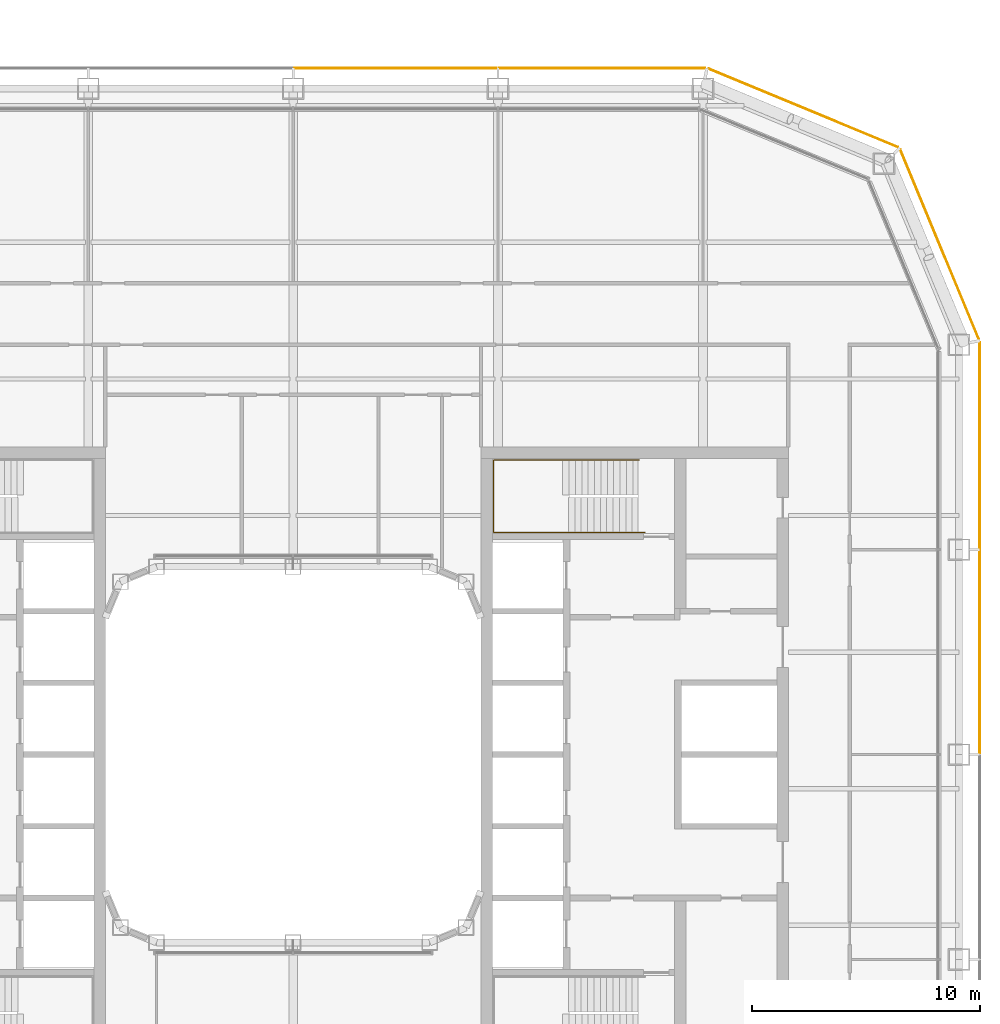
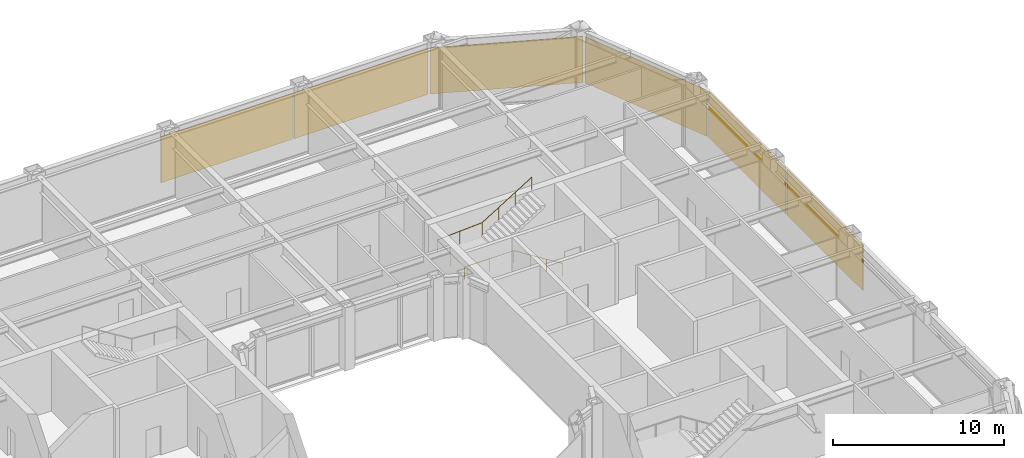
# One storey, part 22 of 23: 6 coverings, 1 railing.
"""IFC4 building model written with IfcOpenShell, lengths in metres."""

from ifc_helpers import new_model, si_unit, direction, frame, origin, origin_2d, place, context, subcontext, project, spatial, rectangle, circle, extrude, material, layer, layer_set, type_object, element, save


model = new_model("IFC4")

# Units and contexts
model_context = context("Model", 3, precision=1e-05, world=origin(), true_north=direction((0.0, 1.0)))
body_context = subcontext(model_context, "Body", "Model", "MODEL_VIEW")
ifc_project = project(units=[si_unit("LENGTHUNIT", "METRE"), si_unit("AREAUNIT", "SQUARE_METRE"), si_unit("VOLUMEUNIT", "CUBIC_METRE"), si_unit("PLANEANGLEUNIT", "RADIAN"), si_unit("MASSUNIT", "GRAM", prefix="KILO")], contexts=[model_context])

# Site, building, storey
site_placement = place(None, origin())
site = spatial("IfcSite", under=ifc_project, at=site_placement, CompositionType="ELEMENT")
building_placement = place(site_placement, origin())
building = spatial("IfcBuilding", under=site, at=building_placement, Name="Siwar Civic Tower", CompositionType="ELEMENT")
storey_placement = place(building_placement, frame((0.0, 0.0, 118.199951171875)))
storey = spatial("IfcBuildingStorey", under=building, at=storey_placement, Name="L25", CompositionType="ELEMENT", Elevation=118.199951171875)

# Railing
ifc_material_1 = material(Name="Stainless steel", Category="steel")
railing_type = type_object("IfcRailingType", Name="CORE-STAIR-HANDRAIL", PredefinedType="HANDRAIL", material=ifc_material_1)
railing_placement = place(storey_placement, frame((15.449951171875, 9.758056640625, 0.173095703125)))
element("IfcRailing", 1, at=railing_placement, inside=storey, type_object=railing_type, Name="Stair handrail ST3", PredefinedType="HANDRAIL", context=body_context, shape_type="SweptSolid", body=[
    extrude(circle(Radius=0.02001953125, at=origin_2d()), frame((0.0, 0.0, 0.8798828125), z_axis=(-0.847063342986, 0.0, 0.531491950051), x_axis=(0.0, -1.0, 0.0)), (0.0, 0.0, 1.0), 3.90771484375),
    extrude(circle(Radius=0.02001953125, at=origin_2d()), frame((-3.31005859375, 0.0, 2.956787109375), z_axis=(-1.0, 0.0, 0.0), x_axis=(0.0, -1.0, 0.0)), (0.0, 0.0, 1.0), 3.331787109375),
    extrude(circle(Radius=0.02001953125, at=origin_2d()), frame((-6.641845703125, 0.0, 2.956787109375), z_axis=(0.0, 1.0, 0.0), x_axis=(-1.0, 0.0, 0.0)), (0.0, 0.0, 1.0), 3.183837890625),
    extrude(circle(Radius=0.02001953125, at=origin_2d()), frame((-6.641845703125, 3.183837890625, 2.956787109375), z_axis=(0.99837434197, 0.0, 0.056997134106), x_axis=(0.0, 1.0, 0.0)), (0.0, 0.0, 1.0), 3.036865234375),
    extrude(circle(Radius=0.02001953125, at=origin_2d()), frame((-3.60986328125, 3.183837890625, 3.1298828125), z_axis=(0.850606129759, 0.0, 0.525803396734), x_axis=(0.0, 1.0, 0.0)), (0.0, 0.0, 1.0), 3.949951171875),
    extrude(circle(Radius=0.02001953125, at=origin_2d()), origin(), (0.0, 0.0, 1.0), 0.85986328125),
    extrude(circle(Radius=0.02001953125, at=origin_2d()), frame((-1.103271484375, 0.0, 0.6923828125)), (0.0, 0.0, 1.0), 0.85986328125),
    extrude(circle(Radius=0.02001953125, at=origin_2d()), frame((-2.206787109375, 0.0, 1.384521484375)), (0.0, 0.0, 1.0), 0.85986328125),
    extrude(circle(Radius=0.02001953125, at=origin_2d()), frame((-3.31005859375, 0.0, 2.076904296875)), (0.0, 0.0, 1.0), 0.85986328125),
    extrude(circle(Radius=0.02001953125, at=origin_2d()), frame((-4.97607421875, 0.0, 2.076904296875)), (0.0, 0.0, 1.0), 0.85986328125),
    extrude(circle(Radius=0.02001953125, at=origin_2d()), frame((-6.641845703125, 0.0, 2.076904296875)), (0.0, 0.0, 1.0), 0.85986328125),
    extrude(circle(Radius=0.02001953125, at=origin_2d()), frame((-6.641845703125, 1.591796875, 2.076904296875)), (0.0, 0.0, 1.0), 0.85986328125),
    extrude(circle(Radius=0.02001953125, at=origin_2d()), frame((-6.641845703125, 3.183837890625, 2.076904296875)), (0.0, 0.0, 1.0), 0.85986328125),
    extrude(circle(Radius=0.02001953125, at=origin_2d()), frame((-5.1259765625, 3.183837890625, 2.16357421875)), (0.0, 0.0, 1.0), 0.85986328125),
    extrude(circle(Radius=0.02001953125, at=origin_2d()), frame((-3.60986328125, 3.183837890625, 2.25)), (0.0, 0.0, 1.0), 0.85986328125),
    extrude(circle(Radius=0.02001953125, at=origin_2d()), frame((-2.489990234375, 3.183837890625, 2.9423828125)), (0.0, 0.0, 1.0), 0.85986328125),
    extrude(circle(Radius=0.02001953125, at=origin_2d()), frame((-1.369873046875, 3.183837890625, 3.634521484375)), (0.0, 0.0, 1.0), 0.85986328125),
    extrude(circle(Radius=0.02001953125, at=origin_2d()), frame((-0.25, 3.183837890625, 4.326904296875)), (0.0, 0.0, 1.0), 0.85986328125),
])

# Coverings
ifc_material_2 = material(Name="Perforated aluminium cassette, pale metal", Category="aluminium")
ifc_layer = layer(ifc_material_2, 0.0400390625)
ifc_layer_set = layer_set([ifc_layer], Name="Perforated aluminium cassette, pale metal")
covering_type = type_object("IfcCoveringType", Name="ENV-OUTER SKIN OS-1", PredefinedType="CLADDING", material=ifc_layer_set)
covering_1_placement = place(storey_placement, frame((30.14990234375, 4.5, -0.14990234375), z_axis=(0.0, 0.0, 1.0), x_axis=(0.0, 1.0, 0.0)))
element("IfcCovering", 2, at=covering_1_placement, inside=storey, type_object=covering_type, Name="OUTER SKIN OS-1 E 3", PredefinedType="CLADDING", context=body_context, shape_type="SweptSolid", body=[
    extrude(rectangle(XDim=8.89990234375, YDim=0.0400390625, at=origin_2d()), origin(), (0.0, 0.0, 1.0), 3.300048828125),
])
covering_2_placement = place(storey_placement, frame((30.14990234375, 13.57958984375, -0.14990234375), z_axis=(0.0, 0.0, 1.0), x_axis=(0.0, 1.0, 0.0)))
element("IfcCovering", 3, at=covering_2_placement, inside=storey, type_object=covering_type, Name="OUTER SKIN OS-1 E 4", PredefinedType="CLADDING", context=body_context, shape_type="SweptSolid", body=[
    extrude(rectangle(XDim=9.05908203125, YDim=0.0400390625, at=origin_2d()), origin(), (0.0, 0.0, 1.0), 3.300048828125),
])
for number, where, z_axis, x_axis, name in (
    (4, (28.39697265625, 22.411376953125, -0.14990234375), (0.0, 0.0, 1.0), (-0.382683432365, 0.923879532511, 0.0), "OUTER SKIN OS-1 NE1 1"),
    (5, (22.411376953125, 28.39697265625, -0.14990234375), (0.0, 0.0, 1.0), (-0.923879532511, 0.382683432365, 0.0), "OUTER SKIN OS-1 NE2 1"),
):
    element("IfcCovering", number, at=place(storey_placement, frame(where, z_axis=z_axis, x_axis=x_axis)), inside=storey, type_object=covering_type, Name=name, PredefinedType="CLADDING", context=body_context, shape_type="SweptSolid", body=[
        extrude(rectangle(XDim=9.022216796875, YDim=0.0400390625, at=origin_2d()), origin(), (0.0, 0.0, 1.0), 3.300048828125),
    ])
covering_3_placement = place(storey_placement, frame((13.57958984375, 30.14990234375, -0.14990234375), z_axis=(0.0, 0.0, 1.0), x_axis=(-1.0, 0.0, 0.0)))
element("IfcCovering", 6, at=covering_3_placement, inside=storey, type_object=covering_type, Name="OUTER SKIN OS-1 N 1", PredefinedType="CLADDING", context=body_context, shape_type="SweptSolid", body=[
    extrude(rectangle(XDim=9.05908203125, YDim=0.0400390625, at=origin_2d()), origin(), (0.0, 0.0, 1.0), 3.300048828125),
])
covering_4_placement = place(storey_placement, frame((4.5, 30.14990234375, -0.14990234375), z_axis=(0.0, 0.0, 1.0), x_axis=(-1.0, 0.0, 0.0)))
element("IfcCovering", 7, at=covering_4_placement, inside=storey, type_object=covering_type, Name="OUTER SKIN OS-1 N 2", PredefinedType="CLADDING", context=body_context, shape_type="SweptSolid", body=[
    extrude(rectangle(XDim=8.89990234375, YDim=0.0400390625, at=origin_2d()), origin(), (0.0, 0.0, 1.0), 3.300048828125),
])

save(model, "model.ifc")
